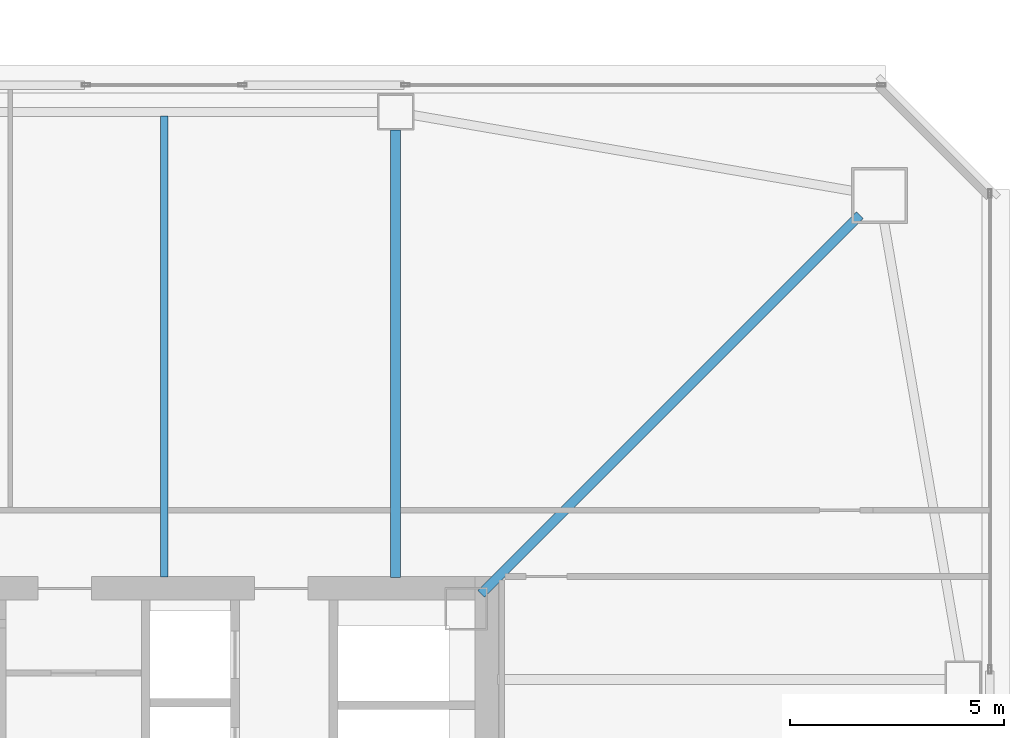
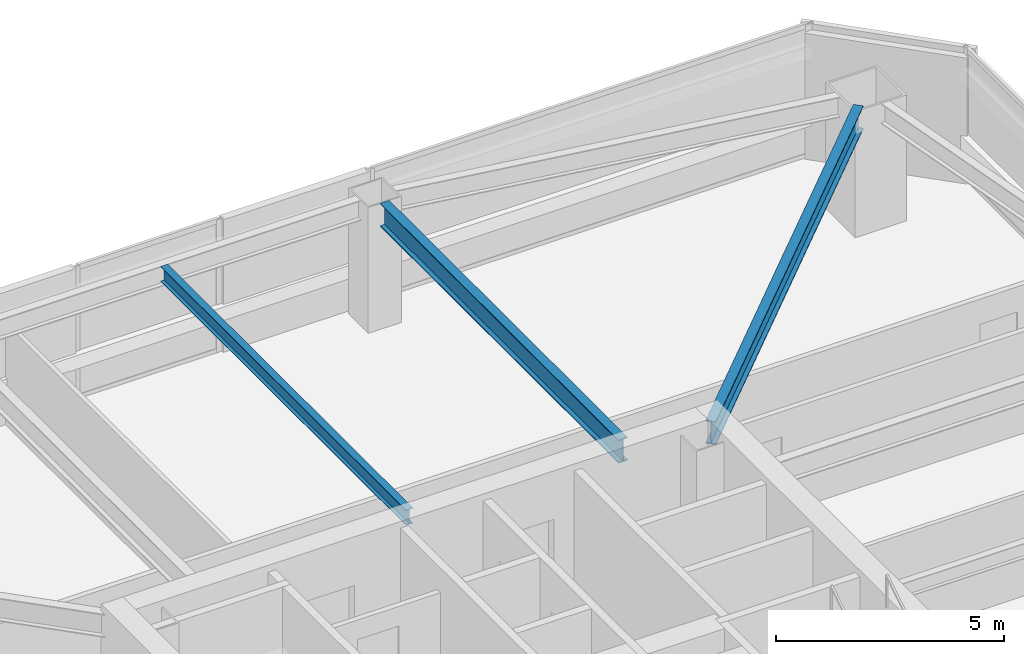
# One storey, part 13 of 42: 3 beams.
"""IFC4 building model written with IfcOpenShell, lengths in metres."""

from ifc_helpers import new_model, si_unit, direction, frame, origin, origin_2d, place, context, subcontext, project, spatial, i_section, extrude, material, material_profile, profile_set, type_object, element, save


model = new_model("IFC4")

# Units and contexts
model_context = context("Model", 3, precision=1e-05, world=origin(), true_north=direction((0.0, 1.0)))
body_context = subcontext(model_context, "Body", "Model", "MODEL_VIEW")
ifc_project = project(units=[si_unit("LENGTHUNIT", "METRE"), si_unit("AREAUNIT", "SQUARE_METRE"), si_unit("VOLUMEUNIT", "CUBIC_METRE"), si_unit("PLANEANGLEUNIT", "RADIAN"), si_unit("MASSUNIT", "GRAM", prefix="KILO")], contexts=[model_context])

# Site, building, storey
site_placement = place(None, origin())
site = spatial("IfcSite", under=ifc_project, at=site_placement, CompositionType="ELEMENT")
building_placement = place(site_placement, origin())
building = spatial("IfcBuilding", under=site, at=building_placement, Name="Tashvorn Skyway Center", CompositionType="ELEMENT")
storey_placement = place(building_placement, frame((0.0, 0.0, 121.5)))
storey = spatial("IfcBuildingStorey", under=building, at=storey_placement, Name="L32", CompositionType="ELEMENT", Elevation=121.5)

# Beams
ifc_material = material(Name="Steel ASTM A992 Grade 50", Category="steel")
ifc_material_profile_1 = material_profile(ifc_material, i_section(OverallWidth=0.22998046875, OverallDepth=0.616943359375, WebThickness=0.01318359375, FlangeThickness=0.022216796875, at=origin_2d()), Name="W24X94")
ifc_profile_set_1 = profile_set([ifc_material_profile_1], Name="Steel ASTM A992 Grade 50")
beam_type_1 = type_object("IfcBeamType", Name="BM-BEAM-W24X94", PredefinedType="BEAM", material=ifc_profile_set_1)
beam_1_placement = place(storey_placement, frame((58.243896484375, 48.243896484375, 3.0615234375), z_axis=(-0.707106781187, -0.707106781187, 0.0), x_axis=(0.707106781187, -0.707106781187, 0.0)))
element("IfcBeam", 1, at=beam_1_placement, inside=storey, type_object=beam_type_1, Name="Tower 1 L32 Primary Floor Girder MC-NE", PredefinedType="BEAM", context=body_context, shape_type="SweptSolid", body=[
    extrude(i_section(OverallWidth=0.22998046875, OverallDepth=0.616943359375, WebThickness=0.01318359375, FlangeThickness=0.022216796875, at=origin_2d()), origin(), (0.0, 0.0, 1.0), 12.50732421875),
])
beam_2_placement = place(storey_placement, frame((47.39990234375, 50.22998046875, 3.0615234375), z_axis=(0.0, -1.0, 0.0), x_axis=(1.0, 0.0, 0.0)))
element("IfcBeam", 2, at=beam_2_placement, inside=storey, type_object=beam_type_1, Name="Tower 1 L32 Primary Floor Girder FC-N1", PredefinedType="BEAM", context=body_context, shape_type="SweptSolid", body=[
    extrude(i_section(OverallWidth=0.22998046875, OverallDepth=0.616943359375, WebThickness=0.01318359375, FlangeThickness=0.022216796875, at=origin_2d()), origin(), (0.0, 0.0, 1.0), 10.449951171875),
])
ifc_material_profile_2 = material_profile(ifc_material, i_section(OverallWidth=0.177978515625, OverallDepth=0.406005859375, WebThickness=0.0078125, FlangeThickness=0.0126953125, at=origin_2d()), Name="W16X40")
ifc_profile_set_2 = profile_set([ifc_material_profile_2], Name="Steel ASTM A992 Grade 50")
beam_type_2 = type_object("IfcBeamType", Name="BM-JOIST-W16X40", PredefinedType="JOIST", material=ifc_profile_set_2)
beam_3_placement = place(storey_placement, frame((42.0, 39.7900390625, 3.1669921875), z_axis=(0.0, 1.0, 0.0), x_axis=(-1.0, 0.0, 0.0)))
element("IfcBeam", 3, at=beam_3_placement, inside=storey, type_object=beam_type_2, Name="Tower 1 L32 Secondary Composite Joist JN", PredefinedType="JOIST", context=body_context, shape_type="SweptSolid", body=[
    extrude(i_section(OverallWidth=0.177978515625, OverallDepth=0.406005859375, WebThickness=0.0078125, FlangeThickness=0.0126953125, at=origin_2d()), origin(), (0.0, 0.0, 1.0), 10.762451171875),
])

save(model, "model.ifc")
